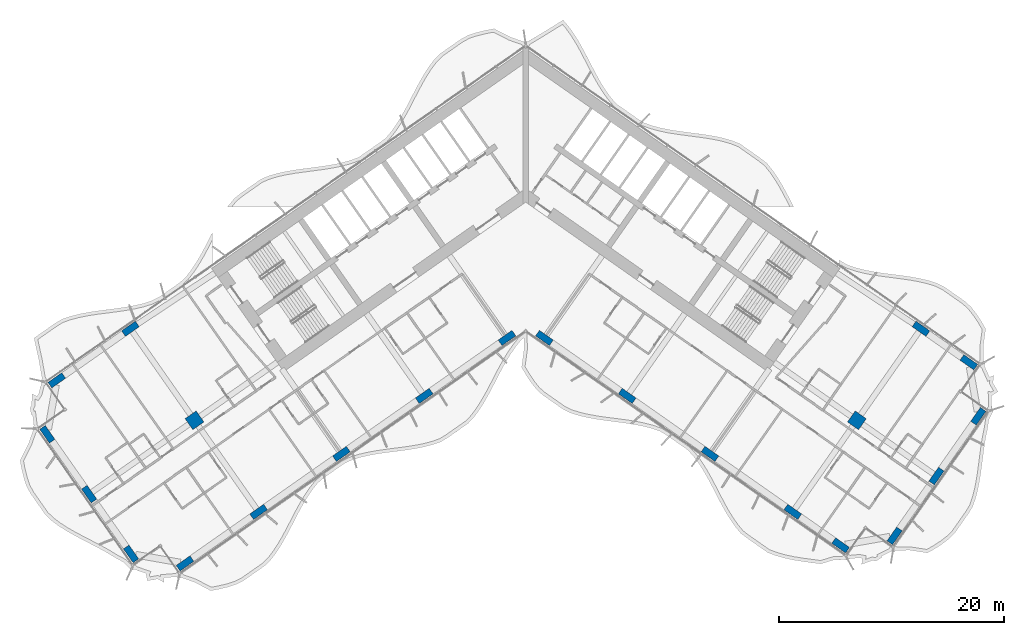
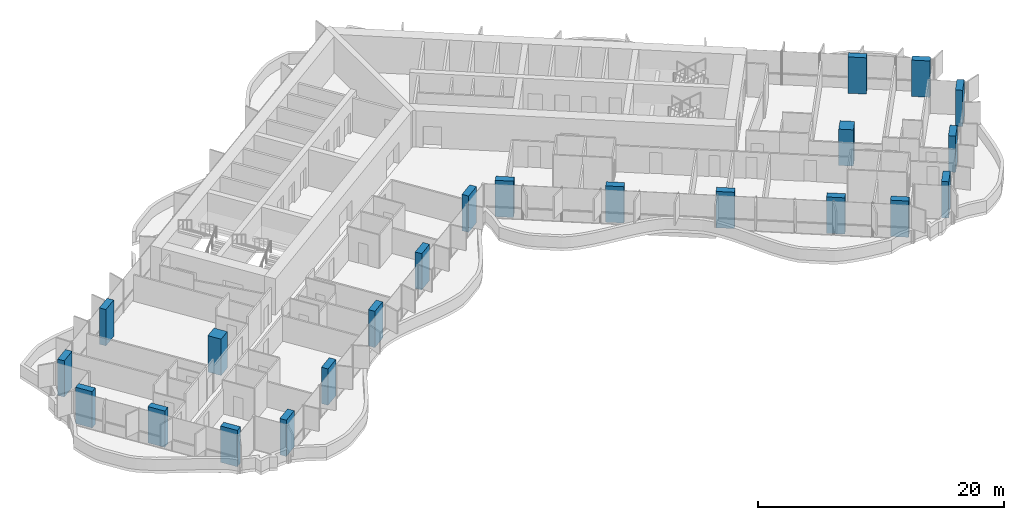
# One storey, part 1 of 23: 22 columns.
"""IFC4 building model written with IfcOpenShell, lengths in metres."""

from ifc_helpers import new_model, si_unit, direction, frame, origin, origin_2d, place, context, subcontext, project, spatial, rectangle, extrude, material, material_profile, profile_set, type_object, element, save


model = new_model("IFC4")

# Units and contexts
model_context = context("Model", 3, precision=1e-05, world=origin(), true_north=direction((0.0, 1.0)))
body_context = subcontext(model_context, "Body", "Model", "MODEL_VIEW")
ifc_project = project(units=[si_unit("LENGTHUNIT", "METRE"), si_unit("AREAUNIT", "SQUARE_METRE"), si_unit("VOLUMEUNIT", "CUBIC_METRE"), si_unit("PLANEANGLEUNIT", "RADIAN"), si_unit("MASSUNIT", "GRAM", prefix="KILO")], contexts=[model_context])

# Site, building, storey
site_placement = place(None, origin())
site = spatial("IfcSite", under=ifc_project, at=site_placement, CompositionType="ELEMENT")
building_placement = place(site_placement, origin())
building = spatial("IfcBuilding", under=site, at=building_placement, Name="Tel Ilan Convention Tower", CompositionType="ELEMENT")
storey_placement = place(building_placement, frame((0.0, 0.0, 79.699951171875)))
storey = spatial("IfcBuildingStorey", under=building, at=storey_placement, Name="L15", CompositionType="ELEMENT", Elevation=79.699951171875)

# Columns
ifc_material_1 = material(Name="Concrete C60/75", Category="concrete")
ifc_material_profile_1 = material_profile(ifc_material_1, rectangle(XDim=1.199951171875, YDim=1.199951171875, at=origin_2d()), Name="RC 1200x1200")
ifc_profile_set_1 = profile_set([ifc_material_profile_1], Name="Concrete C60/75")
column_type_1 = type_object("IfcColumnType", Name="Column RC 1200x1200 C60/75", PredefinedType="COLUMN", material=ifc_profile_set_1)
for number, where, z_axis, x_axis, name in (
    (1, (-29.489501953125, -20.648681640625, 0.0), (0.0, 0.0, 1.0), (-0.819152044289, -0.573576436351, 0.0), "L15 column W-M4"),
    (2, (29.489501953125, -20.648681640625, 0.0), (0.0, 0.0, 1.0), (0.819152044289, -0.573576436351, 0.0), "L15 column E-M4"),
):
    element("IfcColumn", number, at=place(storey_placement, frame(where, z_axis=z_axis, x_axis=x_axis)), inside=storey, type_object=column_type_1, Name=name, PredefinedType="COLUMN", context=body_context, shape_type="SweptSolid", body=[
        extrude(rectangle(XDim=1.199951171875, YDim=1.199951171875, at=origin_2d()), origin(), (0.0, 0.0, 1.0), 3.60009765625),
    ])
ifc_material_2 = material(Name="Concrete C60/75", Category="concrete")
ifc_material_profile_2 = material_profile(ifc_material_2, rectangle(XDim=1.5, YDim=0.60009765625, at=origin_2d()), Name="RC 600x1500")
ifc_profile_set_2 = profile_set([ifc_material_profile_2], Name="Concrete C60/75")
column_type_2 = type_object("IfcColumnType", Name="Column RC 600x1500 C60/75", PredefinedType="COLUMN", material=ifc_profile_set_2)
for number, where, z_axis, x_axis, name in (
    (3, (-1.665283203125, -13.312744140625, 0.0), (0.0, 0.0, 1.0), (-0.819152044289, -0.573576436351, 0.0), "L15 column W-F1"),
    (4, (-9.03759765625, -18.474853515625, 0.0), (0.0, 0.0, 1.0), (-0.819152044289, -0.573576436351, 0.0), "L15 column W-F2"),
    (5, (-16.409912109375, -23.63720703125, 0.0), (0.0, 0.0, 1.0), (-0.819152044289, -0.573576436351, 0.0), "L15 column W-F3"),
    (6, (-23.782470703125, -28.79931640625, 0.0), (0.0, 0.0, 1.0), (-0.819152044289, -0.573576436351, 0.0), "L15 column W-F4"),
    (7, (-30.335693359375, -33.387939453125, 0.0), (0.0, 0.0, 1.0), (-0.819152044289, -0.573576436351, 0.0), "L15 column W-FC"),
    (8, (-35.196533203125, -12.498291015625, 0.0), (0.0, 0.0, 1.0), (-0.819152044289, -0.573576436351, 0.0), "L15 column W-B4"),
    (9, (-41.749755859375, -17.0869140625, 0.0), (0.0, 0.0, 1.0), (-0.819152044289, -0.573576436351, 0.0), "L15 column W-BC"),
    (10, (-35.140380859375, -32.540771484375, 0.0), (0.0, 0.0, 1.0), (-0.573576436351, 0.819152044289, 0.0), "L15 column W-E1"),
    (11, (-38.868896484375, -27.21630859375, 0.0), (0.0, 0.0, 1.0), (-0.573576436351, 0.819152044289, 0.0), "L15 column W-E2"),
    (12, (-42.596923828125, -21.8916015625, 0.0), (0.0, 0.0, 1.0), (-0.573576436351, 0.819152044289, 0.0), "L15 column W-E3"),
    (13, (1.665283203125, -13.312744140625, 0.0), (0.0, 0.0, 1.0), (0.819152044289, -0.573576436351, 0.0), "L15 column E-F1"),
    (14, (9.03759765625, -18.474853515625, 0.0), (0.0, 0.0, 1.0), (0.819152044289, -0.573576436351, 0.0), "L15 column E-F2"),
    (15, (16.409912109375, -23.63720703125, 0.0), (0.0, 0.0, 1.0), (0.819152044289, -0.573576436351, 0.0), "L15 column E-F3"),
    (16, (23.782470703125, -28.79931640625, 0.0), (0.0, 0.0, 1.0), (0.819152044289, -0.573576436351, 0.0), "L15 column E-F4"),
    (17, (28.0419921875, -31.781982421875, 0.0), (0.0, 0.0, 1.0), (0.819152044289, -0.573576436351, 0.0), "L15 column E-FC"),
    (18, (35.196533203125, -12.498291015625, 0.0), (0.0, 0.0, 1.0), (0.819152044289, -0.573576436351, 0.0), "L15 column E-B4"),
    (19, (39.4560546875, -15.480712890625, 0.0), (0.0, 0.0, 1.0), (0.819152044289, -0.573576436351, 0.0), "L15 column E-BC"),
    (20, (32.846923828125, -30.934814453125, 0.0), (0.0, 0.0, 1.0), (0.573576436351, 0.819152044289, 0.0), "L15 column E-E1"),
    (21, (36.5751953125, -25.610107421875, 0.0), (0.0, 0.0, 1.0), (0.573576436351, 0.819152044289, 0.0), "L15 column E-E2"),
    (22, (40.303466796875, -20.28564453125, 0.0), (0.0, 0.0, 1.0), (0.573576436351, 0.819152044289, 0.0), "L15 column E-E3"),
):
    element("IfcColumn", number, at=place(storey_placement, frame(where, z_axis=z_axis, x_axis=x_axis)), inside=storey, type_object=column_type_2, Name=name, PredefinedType="COLUMN", context=body_context, shape_type="SweptSolid", body=[
        extrude(rectangle(XDim=1.5, YDim=0.60009765625, at=origin_2d()), origin(), (0.0, 0.0, 1.0), 3.60009765625),
    ])

save(model, "model.ifc")
